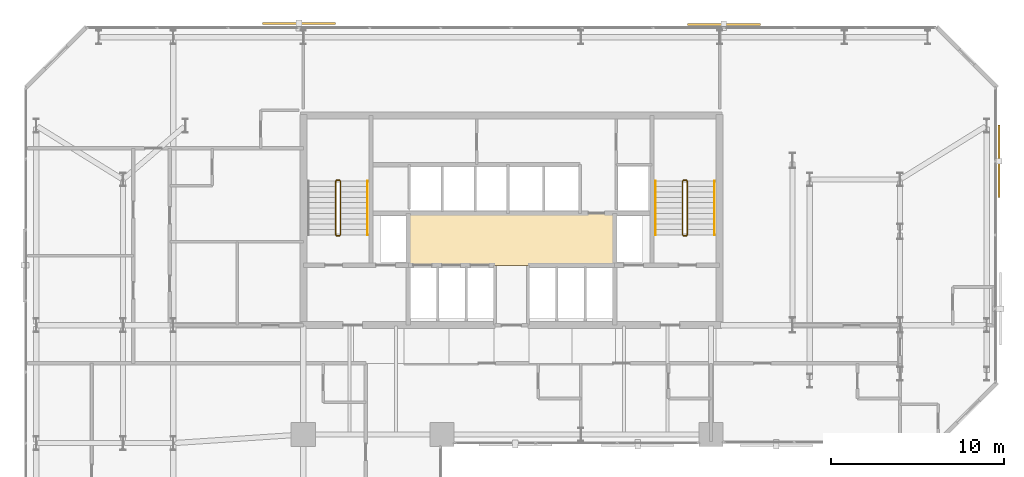
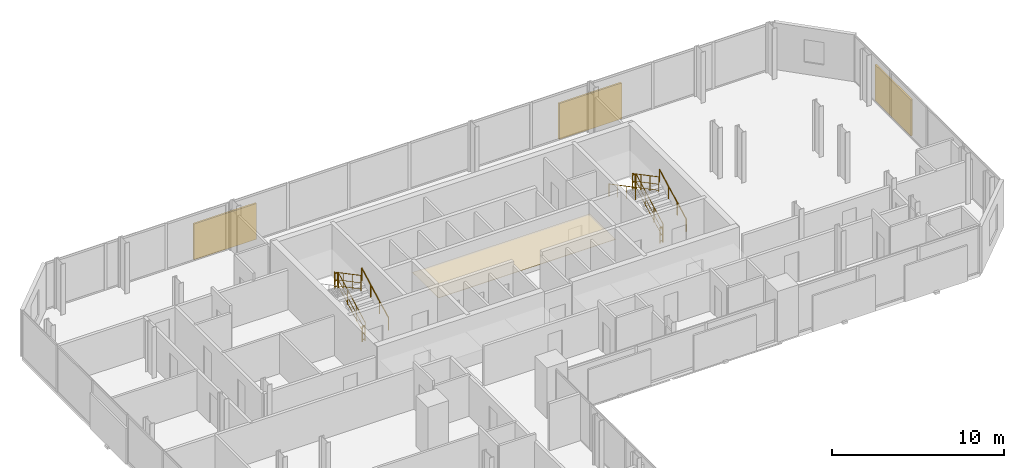
# One storey, part 33 of 33: 11 railings, 3 shading devices, 1 covering.
"""IFC4 building model written with IfcOpenShell, lengths in metres."""

import ifcopenshell
import ifcopenshell.guid

model = None  # the IFC model being written
_history = None  # IfcOwnerHistory: only IFC2X3 demands one
_inside = {}  # id of a spatial element -> (the spatial element, [elements in it])
_under = {}  # id of a project, library or spatial element -> (it, [spatial elements below it])
_declared = {}  # id of a project -> (the project, [libraries it declares])
_typed = {}  # id of a type object -> (the type object, [elements of that type])
_made_of = {}  # id of a material, layer set ... -> (it, [elements and type objects made of it])


def new_model(schema):
    """Start an empty IFC model of exactly this schema.

    Asked for "IFC4X3", IfcOpenShell would pick the latest addendum, in which some entities
    have other attributes; the version numbers below select the first issue.
    IFC2X3 requires an IfcOwnerHistory on every rooted entity: one is made here for all.
    """
    global model, _history
    if schema == "IFC4X3":
        model = ifcopenshell.file(schema_version=(4, 3, 0, 0))
    else:
        model = ifcopenshell.file(schema=schema)
    _inside.clear()
    _under.clear()
    _declared.clear()
    _typed.clear()
    _made_of.clear()
    _history = None
    if model.schema == "IFC2X3":
        org = make("IfcOrganization", Name="unknown")
        user = make(
            "IfcPersonAndOrganization",
            ThePerson=make("IfcPerson", FamilyName="unknown"),
            TheOrganization=org,
        )
        app = make(
            "IfcApplication",
            ApplicationDeveloper=org,
            Version="unknown",
            ApplicationFullName="unknown",
            ApplicationIdentifier="unknown",
        )
        _history = make(
            "IfcOwnerHistory",
            OwningUser=user,
            OwningApplication=app,
            ChangeAction="ADDED",
            CreationDate=0,
        )
    return model


def make(cls, **values):
    """One entity of the class cls with the attributes given. An attribute that is None is left unset."""
    return model.create_entity(
        cls, **{name: value for name, value in values.items() if value is not None}
    )


def rooted(cls, **values):
    """An entity with a GlobalId (a new one), such as an element, a storey or a relation."""
    return make(cls, GlobalId=ifcopenshell.guid.new(), OwnerHistory=_history, **values)


def si_unit(unit_type, name, prefix=None):
    """IfcSIUnit, for example si_unit("LENGTHUNIT", "METRE", prefix="MILLI")."""
    return make("IfcSIUnit", UnitType=unit_type, Prefix=prefix, Name=name)


def assignment(units):
    """IfcUnitAssignment: the units of a project."""
    return None if units is None else make("IfcUnitAssignment", Units=units)


def point(xyz):
    """IfcCartesianPoint."""
    return None if xyz is None else make("IfcCartesianPoint", Coordinates=xyz)


def direction(xyz):
    """IfcDirection."""
    return None if xyz is None else make("IfcDirection", DirectionRatios=xyz)


def frame(location, z_axis=None, x_axis=None):
    """IfcAxis2Placement3D, a coordinate frame: its origin and axes. An axis left out is left unset."""
    return make(
        "IfcAxis2Placement3D",
        Location=point(location),
        Axis=direction(z_axis),
        RefDirection=direction(x_axis),
    )


def frame_2d(location, x_axis=None):
    """IfcAxis2Placement2D, a coordinate frame in the plane: its origin and x axis."""
    return make(
        "IfcAxis2Placement2D", Location=point(location), RefDirection=direction(x_axis)
    )


def origin():
    """The frame at (0, 0, 0) with its axes left unset."""
    return frame((0.0, 0.0, 0.0))


def origin_2d():
    """The frame at (0, 0) in the plane with its x axis left unset."""
    return frame_2d((0.0, 0.0))


def place(relative_to, where):
    """IfcLocalPlacement: puts the frame where relative to a parent placement (None: the world)."""
    return make(
        "IfcLocalPlacement", PlacementRelTo=relative_to, RelativePlacement=where
    )


def context(
    kind, dimensions, precision=None, world=None, true_north=None, identifier=None
):
    """IfcGeometricRepresentationContext, for example the 3D "Model" context."""
    return make(
        "IfcGeometricRepresentationContext",
        ContextIdentifier=identifier,
        ContextType=kind,
        CoordinateSpaceDimension=dimensions,
        Precision=precision,
        WorldCoordinateSystem=world,
        TrueNorth=true_north,
    )


def subcontext(parent, identifier, kind, view, scale=None):
    """IfcGeometricRepresentationSubContext, for example "Body" below "Model"."""
    return make(
        "IfcGeometricRepresentationSubContext",
        ContextIdentifier=identifier,
        ContextType=kind,
        ParentContext=parent,
        TargetScale=scale,
        TargetView=view,
    )


def project(units=None, contexts=None):
    """IfcProject with its units and contexts."""
    return rooted(
        "IfcProject",
        Name="project",
        RepresentationContexts=contexts,
        UnitsInContext=assignment(units),
    )


def spatial(cls, under=None, at=None, **own):
    """A site, building, storey or space (cls), placed at a placement, below another one or the project."""
    s = rooted(cls, ObjectPlacement=at, **own)
    if under is not None:
        _under.setdefault(under.id(), (under, []))[1].append(s)
    return s


def polyline(points):
    """IfcPolyline through the points."""
    return make("IfcPolyline", Points=[point(p) for p in points])


def profile(cls, at=None, kind="AREA", **sizes):
    """A parametric profile (cls). Its sizes go by their IFC names, for example OverallWidth=200.0."""
    return make(cls, ProfileType=kind, Position=at, **sizes)


def rectangle(**sizes):
    """IfcRectangleProfileDef."""
    return profile("IfcRectangleProfileDef", **sizes)


def circle(**sizes):
    """IfcCircleProfileDef."""
    return profile("IfcCircleProfileDef", **sizes)


def outline(outer, holes=None, kind="AREA"):
    """IfcArbitraryClosedProfileDef: a profile drawn as a closed curve; with holes, ...WithVoids."""
    if holes is None:
        return make("IfcArbitraryClosedProfileDef", ProfileType=kind, OuterCurve=outer)
    return make(
        "IfcArbitraryProfileDefWithVoids",
        ProfileType=kind,
        OuterCurve=outer,
        InnerCurves=holes,
    )


def extrude(swept, where, along, depth):
    """IfcExtrudedAreaSolid: the profile swept, set in the frame where, extruded along a direction by depth."""
    return make(
        "IfcExtrudedAreaSolid",
        SweptArea=swept,
        Position=where,
        ExtrudedDirection=direction(along),
        Depth=depth,
    )


def shape(context_of_items, identifier, shape_type, items):
    """IfcShapeRepresentation: the items that make up one representation, for example the "Body"."""
    return make(
        "IfcShapeRepresentation",
        ContextOfItems=context_of_items,
        RepresentationIdentifier=identifier,
        RepresentationType=shape_type,
        Items=items,
    )


def material(Name=None, Category=None):
    """IfcMaterial."""
    return make("IfcMaterial", Name=Name, Category=Category)


def layer(
    of_material, thickness, ventilated=None, Name=None, Category=None, Priority=None
):
    """IfcMaterialLayer: one layer of a wall or slab, of a material (None: an air gap)."""
    return make(
        "IfcMaterialLayer",
        Material=of_material,
        LayerThickness=thickness,
        IsVentilated=ventilated,
        Name=Name,
        Category=Category,
        Priority=Priority,
    )


def layer_set(layers, Name=None):
    """IfcMaterialLayerSet."""
    return make("IfcMaterialLayerSet", MaterialLayers=layers, LayerSetName=Name)


def made_of(thing, what):
    """Note that an element or type object is made of a material, layer set ...; save() writes the relation."""
    if what is not None:
        _made_of.setdefault(what.id(), (what, []))[1].append(thing)
    return thing


def type_object(cls, material=None, **own):
    """A type object (cls), such as IfcWallType, which elements share."""
    return made_of(rooted(cls, **own), material)


def element(
    cls,
    number,
    at=None,
    inside=None,
    cuts=None,
    type_object=None,
    material=None,
    context=None,
    identifier="Body",
    shape_type=None,
    held_by="IfcProductDefinitionShape",
    body=None,
    shapes=None,
    **own,
):
    """One element of the class cls, such as IfcWall. Its Tag is "e" and its number.

    at: its placement. inside: the storey or other place that contains it. cuts: it is an
    opening in that element (IfcRelVoidsElement). A single representation is given by context,
    identifier, shape_type and body (its items); several are given by shapes. held_by: the class
    of the entity that holds the representations. save() writes the other relations.
    """
    e = rooted(cls, Tag="e%d" % number, ObjectPlacement=at, **own)
    if body is not None:
        shapes = [shape(context, identifier, shape_type, body)]
    if shapes is not None:
        e.Representation = make(held_by, Representations=shapes)
    if inside is not None:
        _inside.setdefault(inside.id(), (inside, []))[1].append(e)
    if cuts is not None:
        rooted(
            "IfcRelVoidsElement", RelatingBuildingElement=cuts, RelatedOpeningElement=e
        )
    if type_object is not None:
        _typed.setdefault(type_object.id(), (type_object, []))[1].append(e)
    return made_of(e, material)


def aggregate(whole, parts):
    """IfcRelAggregates: a whole, such as a stair, and the parts it consists of."""
    return rooted("IfcRelAggregates", RelatingObject=whole, RelatedObjects=parts)


def save(model, path):
    """Write the relations noted so far, then the file.

    IfcRelAggregates (storeys below a building ...), IfcRelContainedInSpatialStructure (elements
    in a storey), IfcRelDefinesByType, IfcRelAssociatesMaterial and IfcRelDeclares: one each for
    every whole, place, type object, material and project.
    """
    for whole, parts in _under.values():
        aggregate(whole, parts)
    for where, things in _inside.values():
        rooted(
            "IfcRelContainedInSpatialStructure",
            RelatedElements=things,
            RelatingStructure=where,
        )
    for kind, things in _typed.values():
        rooted("IfcRelDefinesByType", RelatedObjects=things, RelatingType=kind)
    for what, things in _made_of.values():
        rooted("IfcRelAssociatesMaterial", RelatedObjects=things, RelatingMaterial=what)
    for by, libraries in _declared.values():
        rooted("IfcRelDeclares", RelatingContext=by, RelatedDefinitions=libraries)
    model.write(path)


model = new_model("IFC4")

# Units and contexts
model_context = context("Model", 3, precision=1e-05, world=origin(), true_north=direction((0.0, 1.0)))
body_context = subcontext(model_context, "Body", "Model", "MODEL_VIEW")
ifc_project = project(units=[si_unit("LENGTHUNIT", "METRE"), si_unit("AREAUNIT", "SQUARE_METRE"), si_unit("VOLUMEUNIT", "CUBIC_METRE"), si_unit("PLANEANGLEUNIT", "RADIAN"), si_unit("MASSUNIT", "GRAM", prefix="KILO")], contexts=[model_context])

# Site, building, storey
site_placement = place(None, origin())
site = spatial("IfcSite", under=ifc_project, at=site_placement, CompositionType="ELEMENT")
building_placement = place(site_placement, origin())
building = spatial("IfcBuilding", under=site, at=building_placement, Name="Catumbela Crestline Tower", CompositionType="ELEMENT")
storey_placement = place(building_placement, frame((0.0, 0.0, 54.6)))
storey = spatial("IfcBuildingStorey", under=building, at=storey_placement, Name="L13", CompositionType="ELEMENT", Elevation=54.6)

# Covering
ifc_material_1 = material(Name="Mineral-fibre acoustic ceiling")
ifc_layer = layer(ifc_material_1, 0.03, Name="Mineral-fibre acoustic ceiling")
ifc_layer_set = layer_set([ifc_layer], Name="Mineral-fibre acoustic ceiling")
covering_type = type_object("IfcCoveringType", Name="CC-AC", PredefinedType="CEILING", material=ifc_layer_set)
covering_placement = place(storey_placement, frame((0.0, 0.0, 2.65)))
element("IfcCovering", 1, at=covering_placement, inside=storey, type_object=covering_type, Name="L13 Lift Lobby Acoustic Ceiling", PredefinedType="CEILING", context=body_context, shape_type="SweptSolid", body=[
    extrude(outline(polyline([(22.05, 34.25), (33.95, 34.25), (33.95, 37.25), (22.05, 37.25), (22.05, 34.25)])), origin(), (0.0, 0.0, 1.0), 0.03),
])

# Railings
ifc_material_2 = material(Name="Stainless steel EN 1.4401", Category="steel")
railing_type_1 = type_object("IfcRailingType", Name="RG-1100", PredefinedType="GUARDRAIL", material=ifc_material_2)
railing_1_placement = place(storey_placement, frame((18.14, 36.0, 0.1636)))
element("IfcRailing", 2, at=railing_1_placement, inside=storey, type_object=railing_type_1, Name="L13 ST-01 stair guard 1", PredefinedType="GUARDRAIL", context=body_context, shape_type="SweptSolid", body=[
    extrude(circle(Radius=0.024, at=origin_2d()), frame((0.0, 0.0, 1.076), z_axis=(0.0, 0.884350731049, 0.466823076222), x_axis=(-1.0, 0.0, 0.0)), (0.0, 0.0, 1.0), 3.5054),
    extrude(circle(Radius=0.0156, at=origin_2d()), frame((0.0, 0.0, 0.55), z_axis=(0.0, 0.884350731049, 0.466823076222), x_axis=(-1.0, 0.0, 0.0)), (0.0, 0.0, 1.0), 3.5054),
    extrude(circle(Radius=0.0156, at=origin_2d()), frame((0.0, 0.0, 0.12), z_axis=(0.0, 0.884350731049, 0.466823076222), x_axis=(-1.0, 0.0, 0.0)), (0.0, 0.0, 1.0), 3.5054),
    extrude(circle(Radius=0.021, at=origin_2d()), origin(), (0.0, 0.0, 1.0), 1.052),
    extrude(circle(Radius=0.021, at=origin_2d()), frame((0.0, 1.0333, 0.5455)), (0.0, 0.0, 1.0), 1.052),
    extrude(circle(Radius=0.021, at=origin_2d()), frame((0.0, 2.0667, 1.0909)), (0.0, 0.0, 1.0), 1.052),
    extrude(circle(Radius=0.021, at=origin_2d()), frame((0.0, 3.1, 1.6364)), (0.0, 0.0, 1.0), 1.052),
])
railing_2_placement = place(storey_placement, frame((18.09, 39.15, 1.8)))
element("IfcRailing", 3, at=railing_2_placement, inside=storey, type_object=railing_type_1, Name="L13 ST-01 stair guard 2", PredefinedType="GUARDRAIL", context=body_context, shape_type="SweptSolid", body=[
    extrude(circle(Radius=0.024, at=origin_2d()), frame((0.0, 0.0, 1.076), z_axis=(-1.0, 0.0, 0.0), x_axis=(0.0, -1.0, 0.0)), (0.0, 0.0, 1.0), 0.18),
    extrude(circle(Radius=0.0156, at=origin_2d()), frame((0.0, 0.0, 0.55), z_axis=(-1.0, 0.0, 0.0), x_axis=(0.0, -1.0, 0.0)), (0.0, 0.0, 1.0), 0.18),
    extrude(circle(Radius=0.0156, at=origin_2d()), frame((0.0, 0.0, 0.12), z_axis=(-1.0, 0.0, 0.0), x_axis=(0.0, -1.0, 0.0)), (0.0, 0.0, 1.0), 0.18),
    extrude(circle(Radius=0.021, at=origin_2d()), origin(), (0.0, 0.0, 1.0), 1.052),
    extrude(circle(Radius=0.021, at=origin_2d()), frame((-0.18, 0.0, 0.0)), (0.0, 0.0, 1.0), 1.052),
])
railing_3_placement = place(storey_placement, frame((17.86, 39.1, 1.9636)))
element("IfcRailing", 4, at=railing_3_placement, inside=storey, type_object=railing_type_1, Name="L13 ST-01 stair guard 3", PredefinedType="GUARDRAIL", context=body_context, shape_type="SweptSolid", body=[
    extrude(circle(Radius=0.024, at=origin_2d()), frame((0.0, 0.0, 1.076), z_axis=(0.0, -0.884350731049, 0.466823076222), x_axis=(1.0, 0.0, 0.0)), (0.0, 0.0, 1.0), 3.5054),
    extrude(circle(Radius=0.0156, at=origin_2d()), frame((0.0, 0.0, 0.55), z_axis=(0.0, -0.884350731049, 0.466823076222), x_axis=(1.0, 0.0, 0.0)), (0.0, 0.0, 1.0), 3.5054),
    extrude(circle(Radius=0.0156, at=origin_2d()), frame((0.0, 0.0, 0.12), z_axis=(0.0, -0.884350731049, 0.466823076222), x_axis=(1.0, 0.0, 0.0)), (0.0, 0.0, 1.0), 3.5054),
    extrude(circle(Radius=0.021, at=origin_2d()), origin(), (0.0, 0.0, 1.0), 1.052),
    extrude(circle(Radius=0.021, at=origin_2d()), frame((0.0, -1.0333, 0.5455)), (0.0, 0.0, 1.0), 1.052),
    extrude(circle(Radius=0.021, at=origin_2d()), frame((0.0, -2.0667, 1.0909)), (0.0, 0.0, 1.0), 1.052),
    extrude(circle(Radius=0.021, at=origin_2d()), frame((0.0, -3.1, 1.6364)), (0.0, 0.0, 1.0), 1.052),
])
railing_4_placement = place(storey_placement, frame((18.09, 35.95, 0.0)))
element("IfcRailing", 5, at=railing_4_placement, inside=storey, type_object=railing_type_1, Name="L13 ST-01 stair guard 4", PredefinedType="GUARDRAIL", context=body_context, shape_type="SweptSolid", body=[
    extrude(circle(Radius=0.024, at=origin_2d()), frame((0.0, 0.0, 1.076), z_axis=(-1.0, 0.0, 0.0), x_axis=(0.0, -1.0, 0.0)), (0.0, 0.0, 1.0), 0.18),
    extrude(circle(Radius=0.0156, at=origin_2d()), frame((0.0, 0.0, 0.55), z_axis=(-1.0, 0.0, 0.0), x_axis=(0.0, -1.0, 0.0)), (0.0, 0.0, 1.0), 0.18),
    extrude(circle(Radius=0.0156, at=origin_2d()), frame((0.0, 0.0, 0.12), z_axis=(-1.0, 0.0, 0.0), x_axis=(0.0, -1.0, 0.0)), (0.0, 0.0, 1.0), 0.18),
    extrude(circle(Radius=0.021, at=origin_2d()), origin(), (0.0, 0.0, 1.0), 1.052),
    extrude(circle(Radius=0.021, at=origin_2d()), frame((-0.18, 0.0, 0.0)), (0.0, 0.0, 1.0), 1.052),
])
railing_5_placement = place(storey_placement, frame((38.14, 36.0, 0.1636)))
element("IfcRailing", 6, at=railing_5_placement, inside=storey, type_object=railing_type_1, Name="L13 ST-02 stair guard 1", PredefinedType="GUARDRAIL", context=body_context, shape_type="SweptSolid", body=[
    extrude(circle(Radius=0.024, at=origin_2d()), frame((0.0, 0.0, 1.076), z_axis=(0.0, 0.884350731049, 0.466823076222), x_axis=(-1.0, 0.0, 0.0)), (0.0, 0.0, 1.0), 3.5054),
    extrude(circle(Radius=0.0156, at=origin_2d()), frame((0.0, 0.0, 0.55), z_axis=(0.0, 0.884350731049, 0.466823076222), x_axis=(-1.0, 0.0, 0.0)), (0.0, 0.0, 1.0), 3.5054),
    extrude(circle(Radius=0.0156, at=origin_2d()), frame((0.0, 0.0, 0.12), z_axis=(0.0, 0.884350731049, 0.466823076222), x_axis=(-1.0, 0.0, 0.0)), (0.0, 0.0, 1.0), 3.5054),
    extrude(circle(Radius=0.021, at=origin_2d()), origin(), (0.0, 0.0, 1.0), 1.052),
    extrude(circle(Radius=0.021, at=origin_2d()), frame((0.0, 1.0333, 0.5455)), (0.0, 0.0, 1.0), 1.052),
    extrude(circle(Radius=0.021, at=origin_2d()), frame((0.0, 2.0667, 1.0909)), (0.0, 0.0, 1.0), 1.052),
    extrude(circle(Radius=0.021, at=origin_2d()), frame((0.0, 3.1, 1.6364)), (0.0, 0.0, 1.0), 1.052),
])
railing_6_placement = place(storey_placement, frame((38.09, 39.15, 1.8)))
element("IfcRailing", 7, at=railing_6_placement, inside=storey, type_object=railing_type_1, Name="L13 ST-02 stair guard 2", PredefinedType="GUARDRAIL", context=body_context, shape_type="SweptSolid", body=[
    extrude(circle(Radius=0.024, at=origin_2d()), frame((0.0, 0.0, 1.076), z_axis=(-1.0, 0.0, 0.0), x_axis=(0.0, -1.0, 0.0)), (0.0, 0.0, 1.0), 0.18),
    extrude(circle(Radius=0.0156, at=origin_2d()), frame((0.0, 0.0, 0.55), z_axis=(-1.0, 0.0, 0.0), x_axis=(0.0, -1.0, 0.0)), (0.0, 0.0, 1.0), 0.18),
    extrude(circle(Radius=0.0156, at=origin_2d()), frame((0.0, 0.0, 0.12), z_axis=(-1.0, 0.0, 0.0), x_axis=(0.0, -1.0, 0.0)), (0.0, 0.0, 1.0), 0.18),
    extrude(circle(Radius=0.021, at=origin_2d()), origin(), (0.0, 0.0, 1.0), 1.052),
    extrude(circle(Radius=0.021, at=origin_2d()), frame((-0.18, 0.0, 0.0)), (0.0, 0.0, 1.0), 1.052),
])
railing_7_placement = place(storey_placement, frame((37.86, 39.1, 1.9636)))
element("IfcRailing", 8, at=railing_7_placement, inside=storey, type_object=railing_type_1, Name="L13 ST-02 stair guard 3", PredefinedType="GUARDRAIL", context=body_context, shape_type="SweptSolid", body=[
    extrude(circle(Radius=0.024, at=origin_2d()), frame((0.0, 0.0, 1.076), z_axis=(0.0, -0.884350731049, 0.466823076222), x_axis=(1.0, 0.0, 0.0)), (0.0, 0.0, 1.0), 3.5054),
    extrude(circle(Radius=0.0156, at=origin_2d()), frame((0.0, 0.0, 0.55), z_axis=(0.0, -0.884350731049, 0.466823076222), x_axis=(1.0, 0.0, 0.0)), (0.0, 0.0, 1.0), 3.5054),
    extrude(circle(Radius=0.0156, at=origin_2d()), frame((0.0, 0.0, 0.12), z_axis=(0.0, -0.884350731049, 0.466823076222), x_axis=(1.0, 0.0, 0.0)), (0.0, 0.0, 1.0), 3.5054),
    extrude(circle(Radius=0.021, at=origin_2d()), origin(), (0.0, 0.0, 1.0), 1.052),
    extrude(circle(Radius=0.021, at=origin_2d()), frame((0.0, -1.0333, 0.5455)), (0.0, 0.0, 1.0), 1.052),
    extrude(circle(Radius=0.021, at=origin_2d()), frame((0.0, -2.0667, 1.0909)), (0.0, 0.0, 1.0), 1.052),
    extrude(circle(Radius=0.021, at=origin_2d()), frame((0.0, -3.1, 1.6364)), (0.0, 0.0, 1.0), 1.052),
])
railing_8_placement = place(storey_placement, frame((38.09, 35.95, 0.0)))
element("IfcRailing", 9, at=railing_8_placement, inside=storey, type_object=railing_type_1, Name="L13 ST-02 stair guard 4", PredefinedType="GUARDRAIL", context=body_context, shape_type="SweptSolid", body=[
    extrude(circle(Radius=0.024, at=origin_2d()), frame((0.0, 0.0, 1.076), z_axis=(-1.0, 0.0, 0.0), x_axis=(0.0, -1.0, 0.0)), (0.0, 0.0, 1.0), 0.18),
    extrude(circle(Radius=0.0156, at=origin_2d()), frame((0.0, 0.0, 0.55), z_axis=(-1.0, 0.0, 0.0), x_axis=(0.0, -1.0, 0.0)), (0.0, 0.0, 1.0), 0.18),
    extrude(circle(Radius=0.0156, at=origin_2d()), frame((0.0, 0.0, 0.12), z_axis=(-1.0, 0.0, 0.0), x_axis=(0.0, -1.0, 0.0)), (0.0, 0.0, 1.0), 0.18),
    extrude(circle(Radius=0.021, at=origin_2d()), origin(), (0.0, 0.0, 1.0), 1.052),
    extrude(circle(Radius=0.021, at=origin_2d()), frame((-0.18, 0.0, 0.0)), (0.0, 0.0, 1.0), 1.052),
])
railing_type_2 = type_object("IfcRailingType", Name="RH-0900", PredefinedType="HANDRAIL", material=ifc_material_2)
for number, where, name in (
    (10, (19.7, 36.0, 0.1636), "L13 ST-01 stair handrail 1"),
    (11, (39.7, 36.0, 0.1636), "L13 ST-02 stair handrail 1"),
):
    element("IfcRailing", number, at=place(storey_placement, frame(where)), inside=storey, type_object=railing_type_2, Name=name, PredefinedType="HANDRAIL", context=body_context, shape_type="SweptSolid", body=[
        extrude(circle(Radius=0.024, at=origin_2d()), frame((0.0, 0.0, 0.876), z_axis=(0.0, 0.884350731049, 0.466823076222), x_axis=(-1.0, 0.0, 0.0)), (0.0, 0.0, 1.0), 3.5054),
        extrude(circle(Radius=0.021, at=origin_2d()), origin(), (0.0, 0.0, 1.0), 0.852),
        extrude(circle(Radius=0.021, at=origin_2d()), frame((0.0, 1.0333, 0.5455)), (0.0, 0.0, 1.0), 0.852),
        extrude(circle(Radius=0.021, at=origin_2d()), frame((0.0, 2.0667, 1.0909)), (0.0, 0.0, 1.0), 0.852),
        extrude(circle(Radius=0.021, at=origin_2d()), frame((0.0, 3.1, 1.6364)), (0.0, 0.0, 1.0), 0.852),
    ])
railing_9_placement = place(storey_placement, frame((36.3, 39.1, 1.9636)))
element("IfcRailing", 12, at=railing_9_placement, inside=storey, type_object=railing_type_2, Name="L13 ST-02 stair handrail 2", PredefinedType="HANDRAIL", context=body_context, shape_type="SweptSolid", body=[
    extrude(circle(Radius=0.024, at=origin_2d()), frame((0.0, 0.0, 0.876), z_axis=(0.0, -0.884350731049, 0.466823076222), x_axis=(1.0, 0.0, 0.0)), (0.0, 0.0, 1.0), 3.5054),
    extrude(circle(Radius=0.021, at=origin_2d()), origin(), (0.0, 0.0, 1.0), 0.852),
    extrude(circle(Radius=0.021, at=origin_2d()), frame((0.0, -1.0333, 0.5455)), (0.0, 0.0, 1.0), 0.852),
    extrude(circle(Radius=0.021, at=origin_2d()), frame((0.0, -2.0667, 1.0909)), (0.0, 0.0, 1.0), 0.852),
    extrude(circle(Radius=0.021, at=origin_2d()), frame((0.0, -3.1, 1.6364)), (0.0, 0.0, 1.0), 0.852),
])

# Shading devices
ifc_material_3 = material(Name="Extruded terracotta ceramic", Category="masonry")
shading_device_type_1 = type_object("IfcShadingDeviceType", Name="ST-180", PredefinedType="USERDEFINED", material=ifc_material_3)
shading_device_1_placement = place(storey_placement, frame((56.099, 40.25, -0.1), z_axis=(0.0, 0.0, 1.0), x_axis=(0.0, 1.0, 0.0)))
element("IfcShadingDevice", 13, at=shading_device_1_placement, inside=storey, type_object=shading_device_type_1, Name="L13 Perforated Terracotta Solar Screen 122 (180 mm)", ObjectType="SCREEN", PredefinedType="USERDEFINED", context=body_context, shape_type="SweptSolid", body=[
    extrude(rectangle(XDim=4.2, YDim=0.12, at=origin_2d()), origin(), (0.0, 0.0, 1.0), 2.55),
])
shading_device_type_2 = type_object("IfcShadingDeviceType", Name="ST-260", PredefinedType="USERDEFINED", material=ifc_material_3)
shading_device_2_placement = place(storey_placement, frame((40.25, 48.143, -0.1), z_axis=(0.0, 0.0, 1.0), x_axis=(-1.0, 0.0, 0.0)))
element("IfcShadingDevice", 14, at=shading_device_2_placement, inside=storey, type_object=shading_device_type_2, Name="L13 Perforated Terracotta Solar Screen 123 (260 mm)", ObjectType="SCREEN", PredefinedType="USERDEFINED", context=body_context, shape_type="SweptSolid", body=[
    extrude(rectangle(XDim=4.2, YDim=0.12, at=origin_2d()), origin(), (0.0, 0.0, 1.0), 2.55),
])
shading_device_type_3 = type_object("IfcShadingDeviceType", Name="ST-340", PredefinedType="USERDEFINED", material=ifc_material_3)
shading_device_3_placement = place(storey_placement, frame((15.75, 48.187, -0.1), z_axis=(0.0, 0.0, 1.0), x_axis=(-1.0, 0.0, 0.0)))
element("IfcShadingDevice", 15, at=shading_device_3_placement, inside=storey, type_object=shading_device_type_3, Name="L13 Perforated Terracotta Solar Screen 124 (340 mm)", ObjectType="SCREEN", PredefinedType="USERDEFINED", context=body_context, shape_type="SweptSolid", body=[
    extrude(rectangle(XDim=4.2, YDim=0.12, at=origin_2d()), origin(), (0.0, 0.0, 1.0), 2.55),
])

save(model, "model.ifc")
